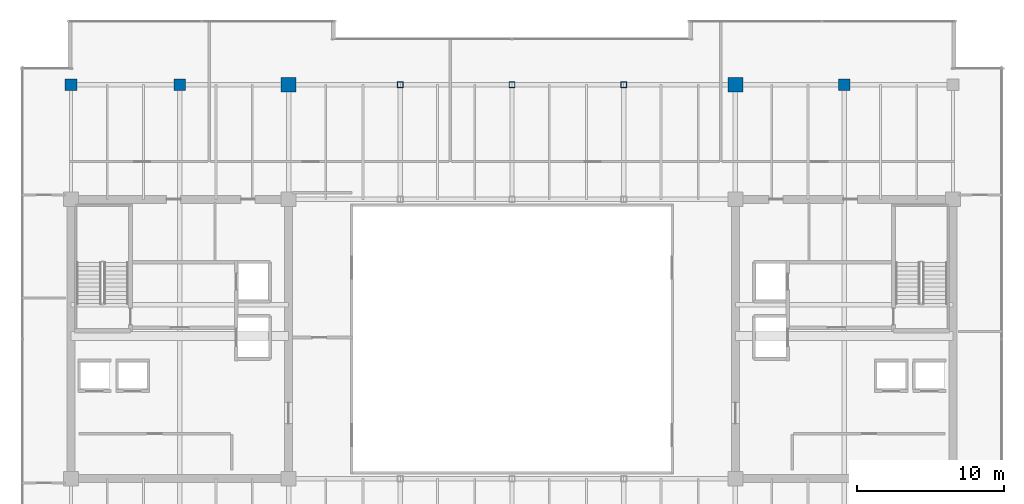
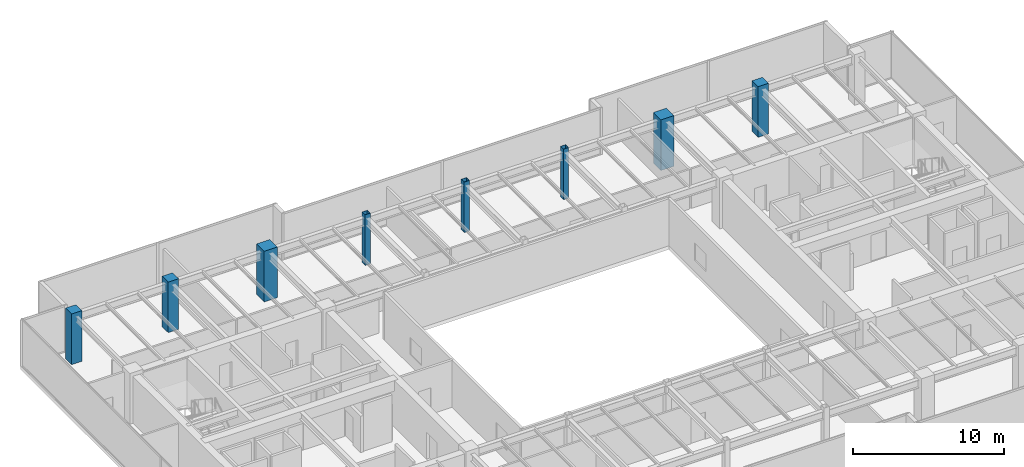
# One storey, part 3 of 33: 8 columns.
"""IFC4 building model written with IfcOpenShell, lengths in metres."""

from ifc_helpers import new_model, si_unit, direction, frame, origin, origin_2d, place, context, subcontext, project, spatial, rectangle, hollow_rectangle, extrude, source, transform, mapped, material, material_profile, profile_set, type_object, type_shapes, element, save


model = new_model("IFC4")

# Units and contexts
model_context = context("Model", 3, precision=1e-05, world=origin(), true_north=direction((0.0, 1.0)))
body_context = subcontext(model_context, "Body", "Model", "MODEL_VIEW")
ifc_project = project(units=[si_unit("LENGTHUNIT", "METRE"), si_unit("AREAUNIT", "SQUARE_METRE"), si_unit("VOLUMEUNIT", "CUBIC_METRE"), si_unit("PLANEANGLEUNIT", "RADIAN"), si_unit("MASSUNIT", "GRAM", prefix="KILO")], contexts=[model_context])

# Site, building, storey
site_placement = place(None, origin())
site = spatial("IfcSite", under=ifc_project, at=site_placement, CompositionType="ELEMENT")
building_placement = place(site_placement, origin())
building = spatial("IfcBuilding", under=site, at=building_placement, Name="Haelvirn Gate Laboratories", CompositionType="ELEMENT")
storey_placement = place(building_placement, frame((0.0, 0.0, 250.60009765625)))
storey = spatial("IfcBuildingStorey", under=building, at=storey_placement, Name="L60", CompositionType="ELEMENT", Elevation=250.60009765625)

# Columns
ifc_material_1 = material(Name="Concrete C60/75", Category="concrete")
ifc_material_profile_1 = material_profile(ifc_material_1, rectangle(XDim=1.0, YDim=1.0, at=origin_2d()), Name="RC-1000x1000")
ifc_profile_set_1 = profile_set([ifc_material_profile_1], Name="Concrete C60/75")
column_type_1 = type_object("IfcColumnType", Name="COL-RC-1000", PredefinedType="COLUMN", material=ifc_profile_set_1)
shared_shape_1 = source(origin(), body_context, "Body", "SweptSolid", [
    extrude(rectangle(XDim=1.0, YDim=1.0, at=origin_2d()), origin(), (0.0, 0.0, 1.0), 4.099853515625),
])
type_shapes(column_type_1, [shared_shape_1])
for number, where, z_axis, x_axis, name in (
    (1, (22.199951171875, 41.60009765625, 0.0), (0.0, 0.0, 1.0), (1.0, 0.0, 0.0), "L60 Column 4G"),
    (2, (52.60009765625, 41.60009765625, 0.0), (0.0, 0.0, 1.0), (1.0, 0.0, 0.0), "L60 Column 8G"),
):
    element("IfcColumn", number, at=place(storey_placement, frame(where, z_axis=z_axis, x_axis=x_axis)), inside=storey, type_object=column_type_1, Name=name, PredefinedType="COLUMN", context=body_context, shape_type="MappedRepresentation", body=[
        mapped(shared_shape_1, transform((0.0, 0.0, 0.0), scale=1.0)),
    ])
ifc_material_2 = material(Name="Concrete C50/60", Category="concrete")
ifc_material_profile_2 = material_profile(ifc_material_2, rectangle(XDim=0.800048828125, YDim=0.800048828125, at=origin_2d()), Name="RC-800x800")
ifc_profile_set_2 = profile_set([ifc_material_profile_2], Name="Concrete C50/60")
column_type_2 = type_object("IfcColumnType", Name="COL-RC-800", PredefinedType="COLUMN", material=ifc_profile_set_2)
shared_shape_2 = source(origin(), body_context, "Body", "SweptSolid", [
    extrude(rectangle(XDim=0.800048828125, YDim=0.800048828125, at=origin_2d()), origin(), (0.0, 0.0, 1.0), 4.099853515625),
])
type_shapes(column_type_2, [shared_shape_2])
for number, where, z_axis, x_axis, name in (
    (3, (14.800048828125, 41.60009765625, 0.0), (0.0, 0.0, 1.0), (1.0, 0.0, 0.0), "L60 Column 3G"),
    (4, (60.0, 41.60009765625, 0.0), (0.0, 0.0, 1.0), (1.0, 0.0, 0.0), "L60 Column 9G"),
    (5, (7.39990234375, 41.60009765625, 0.0), (0.0, 0.0, 1.0), (1.0, 0.0, 0.0), "L60 Column 2G"),
):
    element("IfcColumn", number, at=place(storey_placement, frame(where, z_axis=z_axis, x_axis=x_axis)), inside=storey, type_object=column_type_2, Name=name, PredefinedType="COLUMN", context=body_context, shape_type="MappedRepresentation", body=[
        mapped(shared_shape_2, transform((0.0, 0.0, 0.0), scale=1.0)),
    ])
ifc_material_3 = material(Name="Steel SM355", Category="steel")
ifc_material_profile_3 = material_profile(ifc_material_3, hollow_rectangle(XDim=0.39990234375, YDim=0.39990234375, WallThickness=0.01904296875, at=origin_2d()), Name="BOX-400x400x19")
ifc_profile_set_3 = profile_set([ifc_material_profile_3], Name="Steel SM355")
column_type_3 = type_object("IfcColumnType", Name="COL-BOX-400", PredefinedType="COLUMN", material=ifc_profile_set_3)
shared_shape_3 = source(origin(), body_context, "Body", "SweptSolid", [
    extrude(hollow_rectangle(XDim=0.39990234375, YDim=0.39990234375, WallThickness=0.01904296875, at=origin_2d()), origin(), (0.0, 0.0, 1.0), 4.099853515625),
])
type_shapes(column_type_3, [shared_shape_3])
for number, where, z_axis, x_axis, name in (
    (6, (29.800048828125, 41.60009765625, 0.0), (0.0, 0.0, 1.0), (1.0, 0.0, 0.0), "L60 Column 5G"),
    (7, (37.39990234375, 41.60009765625, 0.0), (0.0, 0.0, 1.0), (1.0, 0.0, 0.0), "L60 Column 6G"),
    (8, (45.0, 41.60009765625, 0.0), (0.0, 0.0, 1.0), (1.0, 0.0, 0.0), "L60 Column 7G"),
):
    element("IfcColumn", number, at=place(storey_placement, frame(where, z_axis=z_axis, x_axis=x_axis)), inside=storey, type_object=column_type_3, Name=name, PredefinedType="COLUMN", context=body_context, shape_type="MappedRepresentation", body=[
        mapped(shared_shape_3, transform((0.0, 0.0, 0.0), scale=1.0)),
    ])

save(model, "model.ifc")
